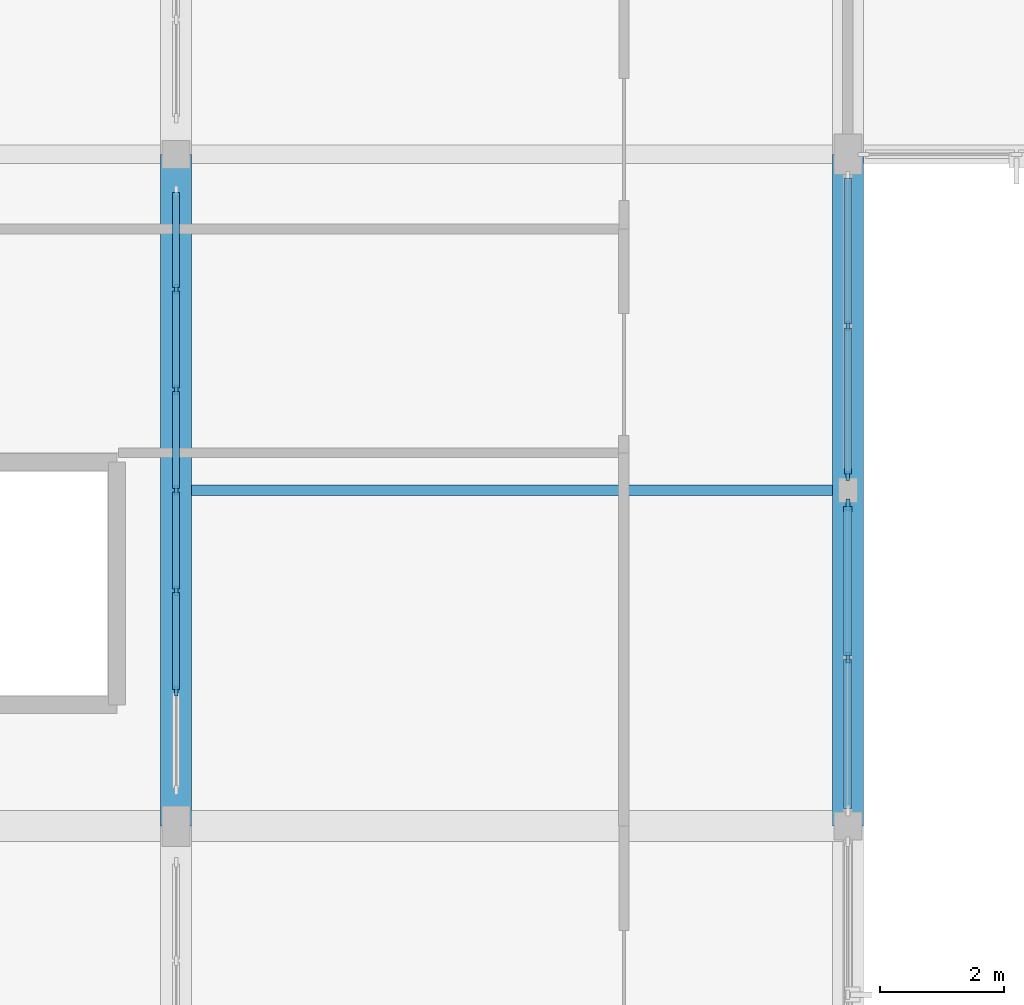
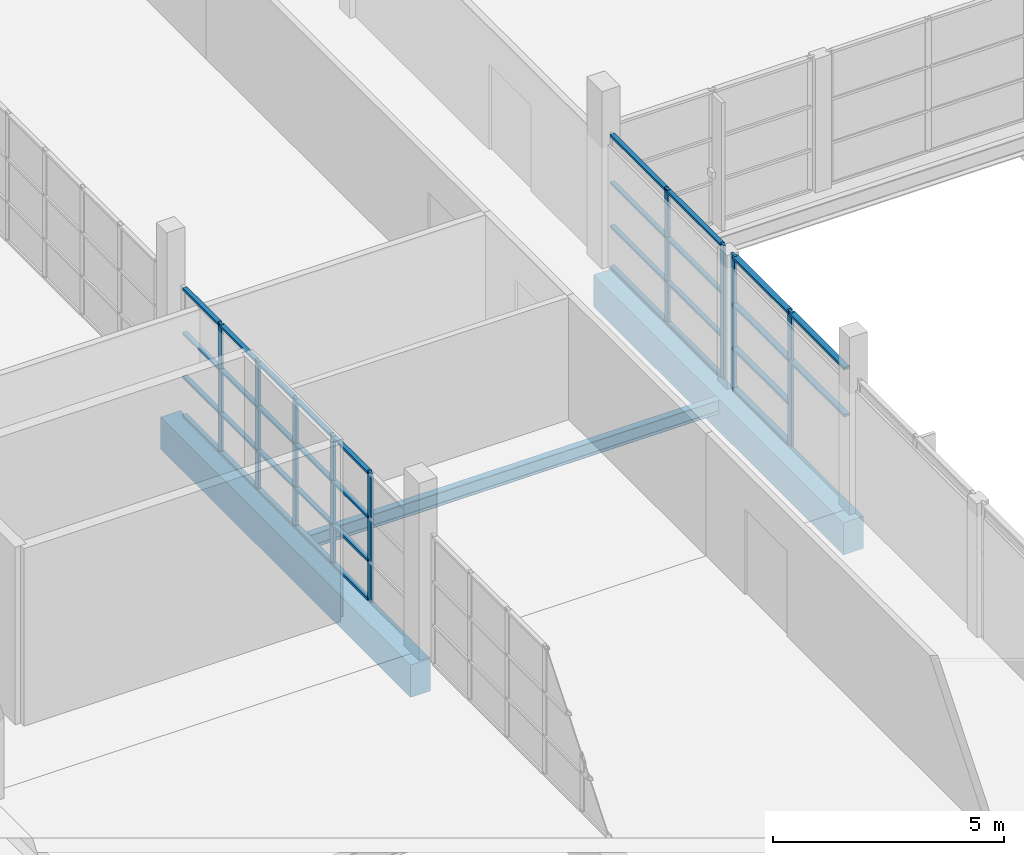
# One storey, part 20 of 142: 43 members, 3 beams, 3 elements without a shape of their own.
"""IFC4 building model written with IfcOpenShell, lengths in metres."""

from ifc_helpers import new_model, si_unit, direction, frame, origin, origin_2d, place, context, subcontext, project, spatial, rectangle, i_section, extrude, material, material_profile, profile_set, type_object, element, aggregate, save


model = new_model("IFC4")

# Units and contexts
model_context = context("Model", 3, precision=1e-05, world=origin(), true_north=direction((0.0, 1.0)))
body_context = subcontext(model_context, "Body", "Model", "MODEL_VIEW")
ifc_project = project(units=[si_unit("LENGTHUNIT", "METRE"), si_unit("AREAUNIT", "SQUARE_METRE"), si_unit("VOLUMEUNIT", "CUBIC_METRE"), si_unit("PLANEANGLEUNIT", "RADIAN"), si_unit("MASSUNIT", "GRAM", prefix="KILO")], contexts=[model_context])

# Site, building, storey
site_placement = place(None, origin())
site = spatial("IfcSite", under=ifc_project, at=site_placement, CompositionType="ELEMENT")
building_placement = place(site_placement, origin())
building = spatial("IfcBuilding", under=site, at=building_placement, Name="Zwinboog Wholesale Market", CompositionType="ELEMENT")
storey_placement = place(building_placement, frame((0.0, 0.0, 5.39990234375)))
storey = spatial("IfcBuildingStorey", under=building, at=storey_placement, Name="L01", CompositionType="ELEMENT", Elevation=5.39990234375)

# Beams
ifc_material_1 = material(Name="Precast concrete C45/55", Category="concrete")
ifc_material_profile_1 = material_profile(ifc_material_1, rectangle(XDim=0.5, YDim=0.85009765625, at=origin_2d()), Name="PC 500x850")
ifc_profile_set_1 = profile_set([ifc_material_profile_1], Name="Precast concrete C45/55")
beam_type_1 = type_object("IfcBeamType", Name="BT-03", PredefinedType="BEAM", material=ifc_profile_set_1)
for number, where, z_axis, x_axis, name in (
    (1, (32.39990234375, 54.0, -0.72998046875), (0.0, 1.0, 0.0), (-1.0, 0.0, 0.0), "BG-03 (BMG-L01-0324-0540-0640)"),
    (2, (43.199951171875, 54.0, -0.7568359375), (0.0, 1.0, 0.0), (-1.0, 0.0, 0.0), "BG-03 (BMG-L01-0432-0540-0652)"),
):
    element("IfcBeam", number, at=place(storey_placement, frame(where, z_axis=z_axis, x_axis=x_axis)), inside=storey, type_object=beam_type_1, Name=name, PredefinedType="BEAM", context=body_context, shape_type="SweptSolid", body=[
        extrude(rectangle(XDim=0.5, YDim=0.85009765625, at=origin_2d()), origin(), (0.0, 0.0, 1.0), 10.800048828125),
    ])
ifc_material_2 = material(Name="Steel S355", Category="steel")
ifc_material_profile_2 = material_profile(ifc_material_2, i_section(OverallWidth=0.169921875, OverallDepth=0.360107421875, WebThickness=0.008056640625, FlangeThickness=0.0126953125, FilletRadius=0.01806640625, at=origin_2d()), Name="IPE 360")
ifc_profile_set_2 = profile_set([ifc_material_profile_2], Name="Steel S355")
beam_type_2 = type_object("IfcBeamType", Name="BT-20", PredefinedType="JOIST", material=ifc_profile_set_2)
beam_placement = place(storey_placement, frame((32.64990234375, 59.39990234375, -0.48486328125), z_axis=(1.0, 0.0, 0.0), x_axis=(0.0, 1.0, 0.0)))
element("IfcBeam", 3, at=beam_placement, inside=storey, type_object=beam_type_2, Name="SJ-03 (BMG-L01-0326-0594-0804)", PredefinedType="JOIST", context=body_context, shape_type="SweptSolid", body=[
    extrude(i_section(OverallWidth=0.169921875, OverallDepth=0.360107421875, WebThickness=0.008056640625, FlangeThickness=0.0126953125, FilletRadius=0.01806640625, at=origin_2d()), origin(), (0.0, 0.0, 1.0), 10.300048828125),
])

# Curtain wall, members
ifc_material_3 = material(Name="Aluminium thermally broken curtain wall", Category="aluminium")
curtain_wall_type_1 = type_object("IfcCurtainWallType", Name="CWT-STALL-18", PredefinedType="USERDEFINED", material=ifc_material_3)
curtain_wall_1_placement = place(storey_placement, origin())
curtain_wall_1 = element("IfcCurtainWall", 4, at=curtain_wall_1_placement, inside=storey, type_object=curtain_wall_type_1, Name="CW-01 (CW-L01-079)", ObjectType="STOREFRONT_GLAZING", PredefinedType="USERDEFINED")
ifc_material_4 = material(Name="Aluminium EN AW-6060", Category="aluminium")
ifc_material_profile_3 = material_profile(ifc_material_4, rectangle(XDim=0.06494140625, YDim=0.179931640625, at=origin_2d()), Name="AL 65x180")
ifc_profile_set_3 = profile_set([ifc_material_profile_3], Name="Aluminium EN AW-6060")
member_type_1 = type_object("IfcMemberType", Name="CWM-65x180", PredefinedType="MULLION", material=ifc_profile_set_3)
member_1_placement = place(storey_placement, frame((43.199951171875, 56.7099609375, 0.0), z_axis=(0.0, 0.0, 1.0), x_axis=(-1.0, 0.0, 0.0)))
member_1 = element("IfcMember", 5, at=member_1_placement, type_object=member_type_1, Name="CW-01 mullion 2", PredefinedType="MULLION", context=body_context, shape_type="SweptSolid", body=[
    extrude(rectangle(XDim=0.06494140625, YDim=0.179931640625, at=origin_2d()), origin(), (0.0, 0.0, 1.0), 3.530029296875),
])
member_2_placement = place(storey_placement, frame((43.199951171875, 59.16748046875, 0.0), z_axis=(0.0, 0.0, 1.0), x_axis=(-1.0, 0.0, 0.0)))
member_2 = element("IfcMember", 6, at=member_2_placement, type_object=member_type_1, Name="CW-01 mullion 3", PredefinedType="MULLION", context=body_context, shape_type="SweptSolid", body=[
    extrude(rectangle(XDim=0.06494140625, YDim=0.179931640625, at=origin_2d()), origin(), (0.0, 0.0, 1.0), 3.530029296875),
])

curtain_wall_type_2 = type_object("IfcCurtainWallType", Name="CWT-STALL-20", PredefinedType="USERDEFINED", material=ifc_material_3)
curtain_wall_2_placement = place(storey_placement, origin())
curtain_wall_2 = element("IfcCurtainWall", 7, at=curtain_wall_2_placement, inside=storey, type_object=curtain_wall_type_2, Name="CW-02 (CW-L01-080)", ObjectType="STOREFRONT_GLAZING", PredefinedType="USERDEFINED")
ifc_material_profile_4 = material_profile(ifc_material_4, rectangle(XDim=0.06005859375, YDim=0.14990234375, at=origin_2d()), Name="AL 60x150")
ifc_profile_set_4 = profile_set([ifc_material_profile_4], Name="Aluminium EN AW-6060")
member_type_2 = type_object("IfcMemberType", Name="CWM-60x150", PredefinedType="MULLION", material=ifc_profile_set_4)
member_3_placement = place(storey_placement, frame((43.199951171875, 59.6298828125, 0.0), z_axis=(0.0, 0.0, 1.0), x_axis=(-1.0, 0.0, 0.0)))
member_3 = element("IfcMember", 8, at=member_3_placement, type_object=member_type_2, Name="CW-02 mullion 1", PredefinedType="MULLION", context=body_context, shape_type="SweptSolid", body=[
    extrude(rectangle(XDim=0.06005859375, YDim=0.14990234375, at=origin_2d()), origin(), (0.0, 0.0, 1.0), 3.530029296875),
])
member_4_placement = place(storey_placement, frame((43.199951171875, 62.0400390625, 0.0), z_axis=(0.0, 0.0, 1.0), x_axis=(-1.0, 0.0, 0.0)))
member_4 = element("IfcMember", 9, at=member_4_placement, type_object=member_type_2, Name="CW-02 mullion 2", PredefinedType="MULLION", context=body_context, shape_type="SweptSolid", body=[
    extrude(rectangle(XDim=0.06005859375, YDim=0.14990234375, at=origin_2d()), origin(), (0.0, 0.0, 1.0), 3.530029296875),
])

# Member
ifc_material_profile_5 = material_profile(ifc_material_4, rectangle(XDim=0.139892578125, YDim=0.06494140625, at=origin_2d()), Name="AL 65x140")
ifc_profile_set_5 = profile_set([ifc_material_profile_5], Name="Aluminium EN AW-6060")
member_type_3 = type_object("IfcMemberType", Name="CWT-65x140", PredefinedType="USERDEFINED", material=ifc_profile_set_5)
member_5_placement = place(storey_placement, frame((43.199951171875, 54.284912109375, 2.25), z_axis=(0.0, 1.0, 0.0), x_axis=(-1.0, 0.0, 0.0)))
member_5 = element("IfcMember", 10, at=member_5_placement, type_object=member_type_3, Name="CW-01 transom 1.3", ObjectType="TRANSOM", PredefinedType="USERDEFINED", context=body_context, shape_type="SweptSolid", body=[
    extrude(rectangle(XDim=0.139892578125, YDim=0.06494140625, at=origin_2d()), origin(), (0.0, 0.0, 1.0), 2.392578125),
])

member_6_placement = place(storey_placement, frame((43.199951171875, 54.284912109375, 3.49755859375), z_axis=(0.0, 1.0, 0.0), x_axis=(-1.0, 0.0, 0.0)))
member_6 = element("IfcMember", 11, at=member_6_placement, type_object=member_type_3, Name="CW-01 transom 1.4", ObjectType="TRANSOM", PredefinedType="USERDEFINED", context=body_context, shape_type="SweptSolid", body=[
    extrude(rectangle(XDim=0.139892578125, YDim=0.06494140625, at=origin_2d()), origin(), (0.0, 0.0, 1.0), 2.392578125),
])

member_7_placement = place(storey_placement, frame((43.199951171875, 56.742431640625, 0.03271484375), z_axis=(0.0, 1.0, 0.0), x_axis=(-1.0, 0.0, 0.0)))
member_7 = element("IfcMember", 12, at=member_7_placement, type_object=member_type_3, Name="CW-01 transom 2.1", ObjectType="TRANSOM", PredefinedType="USERDEFINED", context=body_context, shape_type="SweptSolid", body=[
    extrude(rectangle(XDim=0.139892578125, YDim=0.06494140625, at=origin_2d()), origin(), (0.0, 0.0, 1.0), 2.392578125),
])

member_8_placement = place(storey_placement, frame((43.199951171875, 56.742431640625, 1.10009765625), z_axis=(0.0, 1.0, 0.0), x_axis=(-1.0, 0.0, 0.0)))
member_8 = element("IfcMember", 13, at=member_8_placement, type_object=member_type_3, Name="CW-01 transom 2.2", ObjectType="TRANSOM", PredefinedType="USERDEFINED", context=body_context, shape_type="SweptSolid", body=[
    extrude(rectangle(XDim=0.139892578125, YDim=0.06494140625, at=origin_2d()), origin(), (0.0, 0.0, 1.0), 2.392578125),
])

member_9_placement = place(storey_placement, frame((43.199951171875, 56.742431640625, 2.25), z_axis=(0.0, 1.0, 0.0), x_axis=(-1.0, 0.0, 0.0)))
member_9 = element("IfcMember", 14, at=member_9_placement, type_object=member_type_3, Name="CW-01 transom 2.3", ObjectType="TRANSOM", PredefinedType="USERDEFINED", context=body_context, shape_type="SweptSolid", body=[
    extrude(rectangle(XDim=0.139892578125, YDim=0.06494140625, at=origin_2d()), origin(), (0.0, 0.0, 1.0), 2.392578125),
])

member_10_placement = place(storey_placement, frame((43.199951171875, 56.742431640625, 3.49755859375), z_axis=(0.0, 1.0, 0.0), x_axis=(-1.0, 0.0, 0.0)))
member_10 = element("IfcMember", 15, at=member_10_placement, type_object=member_type_3, Name="CW-01 transom 2.4", ObjectType="TRANSOM", PredefinedType="USERDEFINED", context=body_context, shape_type="SweptSolid", body=[
    extrude(rectangle(XDim=0.139892578125, YDim=0.06494140625, at=origin_2d()), origin(), (0.0, 0.0, 1.0), 2.392578125),
])

aggregate(curtain_wall_1, [member_1, member_2, member_5, member_6, member_7, member_8, member_9, member_10])

ifc_material_profile_6 = material_profile(ifc_material_4, rectangle(XDim=0.110107421875, YDim=0.06005859375, at=origin_2d()), Name="AL 60x110")
ifc_profile_set_6 = profile_set([ifc_material_profile_6], Name="Aluminium EN AW-6060")
member_type_4 = type_object("IfcMemberType", Name="CWT-60x110", PredefinedType="USERDEFINED", material=ifc_profile_set_6)
member_11_placement = place(storey_placement, frame((43.199951171875, 59.659912109375, 0.030029296875), z_axis=(0.0, 1.0, 0.0), x_axis=(-1.0, 0.0, 0.0)))
member_11 = element("IfcMember", 16, at=member_11_placement, type_object=member_type_4, Name="CW-02 transom 1.1", ObjectType="TRANSOM", PredefinedType="USERDEFINED", context=body_context, shape_type="SweptSolid", body=[
    extrude(rectangle(XDim=0.110107421875, YDim=0.06005859375, at=origin_2d()), origin(), (0.0, 0.0, 1.0), 2.35009765625),
])

member_12_placement = place(storey_placement, frame((43.199951171875, 59.659912109375, 1.10009765625), z_axis=(0.0, 1.0, 0.0), x_axis=(-1.0, 0.0, 0.0)))
member_12 = element("IfcMember", 17, at=member_12_placement, type_object=member_type_4, Name="CW-02 transom 1.2", ObjectType="TRANSOM", PredefinedType="USERDEFINED", context=body_context, shape_type="SweptSolid", body=[
    extrude(rectangle(XDim=0.110107421875, YDim=0.06005859375, at=origin_2d()), origin(), (0.0, 0.0, 1.0), 2.35009765625),
])

member_13_placement = place(storey_placement, frame((43.199951171875, 59.659912109375, 2.25), z_axis=(0.0, 1.0, 0.0), x_axis=(-1.0, 0.0, 0.0)))
member_13 = element("IfcMember", 18, at=member_13_placement, type_object=member_type_4, Name="CW-02 transom 1.3", ObjectType="TRANSOM", PredefinedType="USERDEFINED", context=body_context, shape_type="SweptSolid", body=[
    extrude(rectangle(XDim=0.110107421875, YDim=0.06005859375, at=origin_2d()), origin(), (0.0, 0.0, 1.0), 2.35009765625),
])

member_14_placement = place(storey_placement, frame((43.199951171875, 59.659912109375, 3.5), z_axis=(0.0, 1.0, 0.0), x_axis=(-1.0, 0.0, 0.0)))
member_14 = element("IfcMember", 19, at=member_14_placement, type_object=member_type_4, Name="CW-02 transom 1.4", ObjectType="TRANSOM", PredefinedType="USERDEFINED", context=body_context, shape_type="SweptSolid", body=[
    extrude(rectangle(XDim=0.110107421875, YDim=0.06005859375, at=origin_2d()), origin(), (0.0, 0.0, 1.0), 2.35009765625),
])

member_15_placement = place(storey_placement, frame((43.199951171875, 62.070068359375, 0.030029296875), z_axis=(0.0, 1.0, 0.0), x_axis=(-1.0, 0.0, 0.0)))
member_15 = element("IfcMember", 20, at=member_15_placement, type_object=member_type_4, Name="CW-02 transom 2.1", ObjectType="TRANSOM", PredefinedType="USERDEFINED", context=body_context, shape_type="SweptSolid", body=[
    extrude(rectangle(XDim=0.110107421875, YDim=0.06005859375, at=origin_2d()), origin(), (0.0, 0.0, 1.0), 2.349853515625),
])

member_16_placement = place(storey_placement, frame((43.199951171875, 62.070068359375, 1.10009765625), z_axis=(0.0, 1.0, 0.0), x_axis=(-1.0, 0.0, 0.0)))
member_16 = element("IfcMember", 21, at=member_16_placement, type_object=member_type_4, Name="CW-02 transom 2.2", ObjectType="TRANSOM", PredefinedType="USERDEFINED", context=body_context, shape_type="SweptSolid", body=[
    extrude(rectangle(XDim=0.110107421875, YDim=0.06005859375, at=origin_2d()), origin(), (0.0, 0.0, 1.0), 2.349853515625),
])

member_17_placement = place(storey_placement, frame((43.199951171875, 62.070068359375, 2.25), z_axis=(0.0, 1.0, 0.0), x_axis=(-1.0, 0.0, 0.0)))
member_17 = element("IfcMember", 22, at=member_17_placement, type_object=member_type_4, Name="CW-02 transom 2.3", ObjectType="TRANSOM", PredefinedType="USERDEFINED", context=body_context, shape_type="SweptSolid", body=[
    extrude(rectangle(XDim=0.110107421875, YDim=0.06005859375, at=origin_2d()), origin(), (0.0, 0.0, 1.0), 2.349853515625),
])

member_18_placement = place(storey_placement, frame((43.199951171875, 62.070068359375, 3.5), z_axis=(0.0, 1.0, 0.0), x_axis=(-1.0, 0.0, 0.0)))
member_18 = element("IfcMember", 23, at=member_18_placement, type_object=member_type_4, Name="CW-02 transom 2.4", ObjectType="TRANSOM", PredefinedType="USERDEFINED", context=body_context, shape_type="SweptSolid", body=[
    extrude(rectangle(XDim=0.110107421875, YDim=0.06005859375, at=origin_2d()), origin(), (0.0, 0.0, 1.0), 2.349853515625),
])

aggregate(curtain_wall_2, [member_3, member_4, member_11, member_12, member_13, member_14, member_15, member_16, member_17, member_18])

# Curtain wall, members
curtain_wall_type_3 = type_object("IfcCurtainWallType", Name="CWT-INT-STALL", PredefinedType="USERDEFINED", material=ifc_material_3)
curtain_wall_3_placement = place(storey_placement, origin())
curtain_wall_3 = element("IfcCurtainWall", 24, at=curtain_wall_3_placement, inside=storey, type_object=curtain_wall_type_3, Name="CW-07 (CW-STL-268)", ObjectType="STOREFRONT_GLAZING", PredefinedType="USERDEFINED")
ifc_material_profile_7 = material_profile(ifc_material_4, rectangle(XDim=0.06005859375, YDim=0.14990234375, at=origin_2d()), Name="AL 60x150")
ifc_profile_set_7 = profile_set([ifc_material_profile_7], Name="Aluminium EN AW-6060")
member_type_5 = type_object("IfcMemberType", Name="CWM-INT-60x120", PredefinedType="MULLION", material=ifc_profile_set_7)
member_19_placement = place(storey_placement, frame((32.39990234375, 56.166748046875, 0.0), z_axis=(0.0, 0.0, 1.0), x_axis=(-1.0, 0.0, 0.0)))
member_19 = element("IfcMember", 25, at=member_19_placement, type_object=member_type_5, Name="CW-07 mullion 2", PredefinedType="MULLION", context=body_context, shape_type="SweptSolid", body=[
    extrude(rectangle(XDim=0.06005859375, YDim=0.14990234375, at=origin_2d()), origin(), (0.0, 0.0, 1.0), 3.400146484375),
])
member_20_placement = place(storey_placement, frame((32.39990234375, 57.783447265625, 0.0), z_axis=(0.0, 0.0, 1.0), x_axis=(-1.0, 0.0, 0.0)))
member_20 = element("IfcMember", 26, at=member_20_placement, type_object=member_type_5, Name="CW-07 mullion 3", PredefinedType="MULLION", context=body_context, shape_type="SweptSolid", body=[
    extrude(rectangle(XDim=0.06005859375, YDim=0.14990234375, at=origin_2d()), origin(), (0.0, 0.0, 1.0), 3.400146484375),
])
member_21_placement = place(storey_placement, frame((32.39990234375, 59.39990234375, 0.0), z_axis=(0.0, 0.0, 1.0), x_axis=(-1.0, 0.0, 0.0)))
member_21 = element("IfcMember", 27, at=member_21_placement, type_object=member_type_5, Name="CW-07 mullion 4", PredefinedType="MULLION", context=body_context, shape_type="SweptSolid", body=[
    extrude(rectangle(XDim=0.06005859375, YDim=0.14990234375, at=origin_2d()), origin(), (0.0, 0.0, 1.0), 3.400146484375),
])
member_22_placement = place(storey_placement, frame((32.39990234375, 61.0166015625, 0.0), z_axis=(0.0, 0.0, 1.0), x_axis=(-1.0, 0.0, 0.0)))
member_22 = element("IfcMember", 28, at=member_22_placement, type_object=member_type_5, Name="CW-07 mullion 5", PredefinedType="MULLION", context=body_context, shape_type="SweptSolid", body=[
    extrude(rectangle(XDim=0.06005859375, YDim=0.14990234375, at=origin_2d()), origin(), (0.0, 0.0, 1.0), 3.400146484375),
])
member_23_placement = place(storey_placement, frame((32.39990234375, 62.63330078125, 0.0), z_axis=(0.0, 0.0, 1.0), x_axis=(-1.0, 0.0, 0.0)))
member_23 = element("IfcMember", 29, at=member_23_placement, type_object=member_type_5, Name="CW-07 mullion 6", PredefinedType="MULLION", context=body_context, shape_type="SweptSolid", body=[
    extrude(rectangle(XDim=0.06005859375, YDim=0.14990234375, at=origin_2d()), origin(), (0.0, 0.0, 1.0), 3.400146484375),
])
ifc_material_profile_8 = material_profile(ifc_material_4, rectangle(XDim=0.110107421875, YDim=0.06005859375, at=origin_2d()), Name="AL 60x110")
ifc_profile_set_8 = profile_set([ifc_material_profile_8], Name="Aluminium EN AW-6060")
member_type_6 = type_object("IfcMemberType", Name="CWT-INT-60x100", PredefinedType="USERDEFINED", material=ifc_profile_set_8)
member_24_placement = place(storey_placement, frame((32.39990234375, 56.19677734375, 0.030029296875), z_axis=(0.0, 1.0, 0.0), x_axis=(-1.0, 0.0, 0.0)))
member_24 = element("IfcMember", 30, at=member_24_placement, type_object=member_type_6, Name="CW-07 transom 2.1", ObjectType="TRANSOM", PredefinedType="USERDEFINED", context=body_context, shape_type="SweptSolid", body=[
    extrude(rectangle(XDim=0.110107421875, YDim=0.06005859375, at=origin_2d()), origin(), (0.0, 0.0, 1.0), 1.556640625),
])
member_25_placement = place(storey_placement, frame((32.39990234375, 56.19677734375, 1.050048828125), z_axis=(0.0, 1.0, 0.0), x_axis=(-1.0, 0.0, 0.0)))
member_25 = element("IfcMember", 31, at=member_25_placement, type_object=member_type_6, Name="CW-07 transom 2.2", ObjectType="TRANSOM", PredefinedType="USERDEFINED", context=body_context, shape_type="SweptSolid", body=[
    extrude(rectangle(XDim=0.110107421875, YDim=0.06005859375, at=origin_2d()), origin(), (0.0, 0.0, 1.0), 1.556640625),
])
member_26_placement = place(storey_placement, frame((32.39990234375, 56.19677734375, 2.2001953125), z_axis=(0.0, 1.0, 0.0), x_axis=(-1.0, 0.0, 0.0)))
member_26 = element("IfcMember", 32, at=member_26_placement, type_object=member_type_6, Name="CW-07 transom 2.3", ObjectType="TRANSOM", PredefinedType="USERDEFINED", context=body_context, shape_type="SweptSolid", body=[
    extrude(rectangle(XDim=0.110107421875, YDim=0.06005859375, at=origin_2d()), origin(), (0.0, 0.0, 1.0), 1.556640625),
])
member_27_placement = place(storey_placement, frame((32.39990234375, 56.19677734375, 3.3701171875), z_axis=(0.0, 1.0, 0.0), x_axis=(-1.0, 0.0, 0.0)))
member_27 = element("IfcMember", 33, at=member_27_placement, type_object=member_type_6, Name="CW-07 transom 2.4", ObjectType="TRANSOM", PredefinedType="USERDEFINED", context=body_context, shape_type="SweptSolid", body=[
    extrude(rectangle(XDim=0.110107421875, YDim=0.06005859375, at=origin_2d()), origin(), (0.0, 0.0, 1.0), 1.556640625),
])
member_28_placement = place(storey_placement, frame((32.39990234375, 57.813232421875, 0.030029296875), z_axis=(0.0, 1.0, 0.0), x_axis=(-1.0, 0.0, 0.0)))
member_28 = element("IfcMember", 34, at=member_28_placement, type_object=member_type_6, Name="CW-07 transom 3.1", ObjectType="TRANSOM", PredefinedType="USERDEFINED", context=body_context, shape_type="SweptSolid", body=[
    extrude(rectangle(XDim=0.110107421875, YDim=0.06005859375, at=origin_2d()), origin(), (0.0, 0.0, 1.0), 1.556884765625),
])
member_29_placement = place(storey_placement, frame((32.39990234375, 57.813232421875, 1.050048828125), z_axis=(0.0, 1.0, 0.0), x_axis=(-1.0, 0.0, 0.0)))
member_29 = element("IfcMember", 35, at=member_29_placement, type_object=member_type_6, Name="CW-07 transom 3.2", ObjectType="TRANSOM", PredefinedType="USERDEFINED", context=body_context, shape_type="SweptSolid", body=[
    extrude(rectangle(XDim=0.110107421875, YDim=0.06005859375, at=origin_2d()), origin(), (0.0, 0.0, 1.0), 1.556884765625),
])
member_30_placement = place(storey_placement, frame((32.39990234375, 57.813232421875, 2.2001953125), z_axis=(0.0, 1.0, 0.0), x_axis=(-1.0, 0.0, 0.0)))
member_30 = element("IfcMember", 36, at=member_30_placement, type_object=member_type_6, Name="CW-07 transom 3.3", ObjectType="TRANSOM", PredefinedType="USERDEFINED", context=body_context, shape_type="SweptSolid", body=[
    extrude(rectangle(XDim=0.110107421875, YDim=0.06005859375, at=origin_2d()), origin(), (0.0, 0.0, 1.0), 1.556884765625),
])
member_31_placement = place(storey_placement, frame((32.39990234375, 57.813232421875, 3.3701171875), z_axis=(0.0, 1.0, 0.0), x_axis=(-1.0, 0.0, 0.0)))
member_31 = element("IfcMember", 37, at=member_31_placement, type_object=member_type_6, Name="CW-07 transom 3.4", ObjectType="TRANSOM", PredefinedType="USERDEFINED", context=body_context, shape_type="SweptSolid", body=[
    extrude(rectangle(XDim=0.110107421875, YDim=0.06005859375, at=origin_2d()), origin(), (0.0, 0.0, 1.0), 1.556884765625),
])
member_32_placement = place(storey_placement, frame((32.39990234375, 59.429931640625, 0.030029296875), z_axis=(0.0, 1.0, 0.0), x_axis=(-1.0, 0.0, 0.0)))
member_32 = element("IfcMember", 38, at=member_32_placement, type_object=member_type_6, Name="CW-07 transom 4.1", ObjectType="TRANSOM", PredefinedType="USERDEFINED", context=body_context, shape_type="SweptSolid", body=[
    extrude(rectangle(XDim=0.110107421875, YDim=0.06005859375, at=origin_2d()), origin(), (0.0, 0.0, 1.0), 1.556640625),
])
member_33_placement = place(storey_placement, frame((32.39990234375, 59.429931640625, 1.050048828125), z_axis=(0.0, 1.0, 0.0), x_axis=(-1.0, 0.0, 0.0)))
member_33 = element("IfcMember", 39, at=member_33_placement, type_object=member_type_6, Name="CW-07 transom 4.2", ObjectType="TRANSOM", PredefinedType="USERDEFINED", context=body_context, shape_type="SweptSolid", body=[
    extrude(rectangle(XDim=0.110107421875, YDim=0.06005859375, at=origin_2d()), origin(), (0.0, 0.0, 1.0), 1.556640625),
])
member_34_placement = place(storey_placement, frame((32.39990234375, 59.429931640625, 2.2001953125), z_axis=(0.0, 1.0, 0.0), x_axis=(-1.0, 0.0, 0.0)))
member_34 = element("IfcMember", 40, at=member_34_placement, type_object=member_type_6, Name="CW-07 transom 4.3", ObjectType="TRANSOM", PredefinedType="USERDEFINED", context=body_context, shape_type="SweptSolid", body=[
    extrude(rectangle(XDim=0.110107421875, YDim=0.06005859375, at=origin_2d()), origin(), (0.0, 0.0, 1.0), 1.556640625),
])
member_35_placement = place(storey_placement, frame((32.39990234375, 59.429931640625, 3.3701171875), z_axis=(0.0, 1.0, 0.0), x_axis=(-1.0, 0.0, 0.0)))
member_35 = element("IfcMember", 41, at=member_35_placement, type_object=member_type_6, Name="CW-07 transom 4.4", ObjectType="TRANSOM", PredefinedType="USERDEFINED", context=body_context, shape_type="SweptSolid", body=[
    extrude(rectangle(XDim=0.110107421875, YDim=0.06005859375, at=origin_2d()), origin(), (0.0, 0.0, 1.0), 1.556640625),
])
member_36_placement = place(storey_placement, frame((32.39990234375, 61.046630859375, 0.030029296875), z_axis=(0.0, 1.0, 0.0), x_axis=(-1.0, 0.0, 0.0)))
member_36 = element("IfcMember", 42, at=member_36_placement, type_object=member_type_6, Name="CW-07 transom 5.1", ObjectType="TRANSOM", PredefinedType="USERDEFINED", context=body_context, shape_type="SweptSolid", body=[
    extrude(rectangle(XDim=0.110107421875, YDim=0.06005859375, at=origin_2d()), origin(), (0.0, 0.0, 1.0), 1.556640625),
])
member_37_placement = place(storey_placement, frame((32.39990234375, 61.046630859375, 1.050048828125), z_axis=(0.0, 1.0, 0.0), x_axis=(-1.0, 0.0, 0.0)))
member_37 = element("IfcMember", 43, at=member_37_placement, type_object=member_type_6, Name="CW-07 transom 5.2", ObjectType="TRANSOM", PredefinedType="USERDEFINED", context=body_context, shape_type="SweptSolid", body=[
    extrude(rectangle(XDim=0.110107421875, YDim=0.06005859375, at=origin_2d()), origin(), (0.0, 0.0, 1.0), 1.556640625),
])
member_38_placement = place(storey_placement, frame((32.39990234375, 61.046630859375, 2.2001953125), z_axis=(0.0, 1.0, 0.0), x_axis=(-1.0, 0.0, 0.0)))
member_38 = element("IfcMember", 44, at=member_38_placement, type_object=member_type_6, Name="CW-07 transom 5.3", ObjectType="TRANSOM", PredefinedType="USERDEFINED", context=body_context, shape_type="SweptSolid", body=[
    extrude(rectangle(XDim=0.110107421875, YDim=0.06005859375, at=origin_2d()), origin(), (0.0, 0.0, 1.0), 1.556640625),
])
member_39_placement = place(storey_placement, frame((32.39990234375, 61.046630859375, 3.3701171875), z_axis=(0.0, 1.0, 0.0), x_axis=(-1.0, 0.0, 0.0)))
member_39 = element("IfcMember", 45, at=member_39_placement, type_object=member_type_6, Name="CW-07 transom 5.4", ObjectType="TRANSOM", PredefinedType="USERDEFINED", context=body_context, shape_type="SweptSolid", body=[
    extrude(rectangle(XDim=0.110107421875, YDim=0.06005859375, at=origin_2d()), origin(), (0.0, 0.0, 1.0), 1.556640625),
])
member_40_placement = place(storey_placement, frame((32.39990234375, 62.663330078125, 0.030029296875), z_axis=(0.0, 1.0, 0.0), x_axis=(-1.0, 0.0, 0.0)))
member_40 = element("IfcMember", 46, at=member_40_placement, type_object=member_type_6, Name="CW-07 transom 6.1", ObjectType="TRANSOM", PredefinedType="USERDEFINED", context=body_context, shape_type="SweptSolid", body=[
    extrude(rectangle(XDim=0.110107421875, YDim=0.06005859375, at=origin_2d()), origin(), (0.0, 0.0, 1.0), 1.526611328125),
])
member_41_placement = place(storey_placement, frame((32.39990234375, 62.663330078125, 1.050048828125), z_axis=(0.0, 1.0, 0.0), x_axis=(-1.0, 0.0, 0.0)))
member_41 = element("IfcMember", 47, at=member_41_placement, type_object=member_type_6, Name="CW-07 transom 6.2", ObjectType="TRANSOM", PredefinedType="USERDEFINED", context=body_context, shape_type="SweptSolid", body=[
    extrude(rectangle(XDim=0.110107421875, YDim=0.06005859375, at=origin_2d()), origin(), (0.0, 0.0, 1.0), 1.526611328125),
])
member_42_placement = place(storey_placement, frame((32.39990234375, 62.663330078125, 2.2001953125), z_axis=(0.0, 1.0, 0.0), x_axis=(-1.0, 0.0, 0.0)))
member_42 = element("IfcMember", 48, at=member_42_placement, type_object=member_type_6, Name="CW-07 transom 6.3", ObjectType="TRANSOM", PredefinedType="USERDEFINED", context=body_context, shape_type="SweptSolid", body=[
    extrude(rectangle(XDim=0.110107421875, YDim=0.06005859375, at=origin_2d()), origin(), (0.0, 0.0, 1.0), 1.526611328125),
])
member_43_placement = place(storey_placement, frame((32.39990234375, 62.663330078125, 3.3701171875), z_axis=(0.0, 1.0, 0.0), x_axis=(-1.0, 0.0, 0.0)))
member_43 = element("IfcMember", 49, at=member_43_placement, type_object=member_type_6, Name="CW-07 transom 6.4", ObjectType="TRANSOM", PredefinedType="USERDEFINED", context=body_context, shape_type="SweptSolid", body=[
    extrude(rectangle(XDim=0.110107421875, YDim=0.06005859375, at=origin_2d()), origin(), (0.0, 0.0, 1.0), 1.526611328125),
])
aggregate(curtain_wall_3, [member_19, member_20, member_21, member_22, member_23, member_24, member_25, member_26, member_27, member_28, member_29, member_30, member_31, member_32, member_33, member_34, member_35, member_36, member_37, member_38, member_39, member_40, member_41, member_42, member_43])

save(model, "model.ifc")
